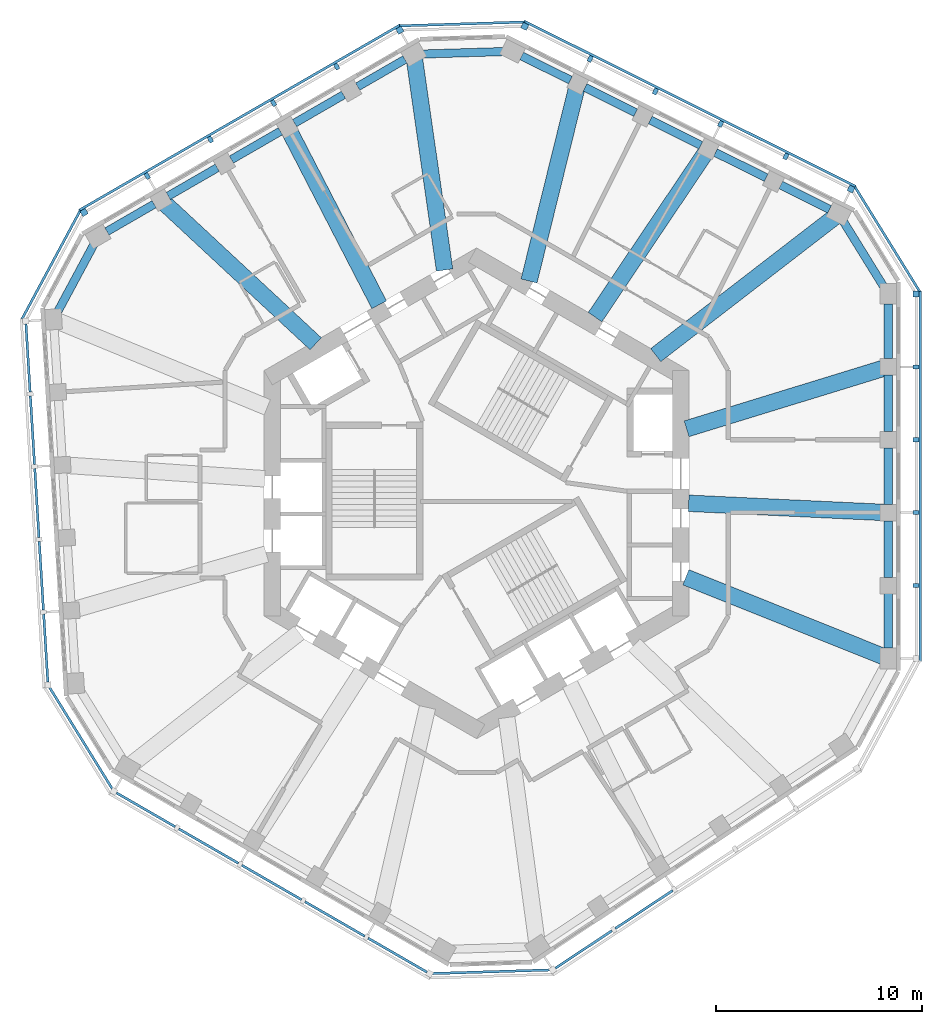
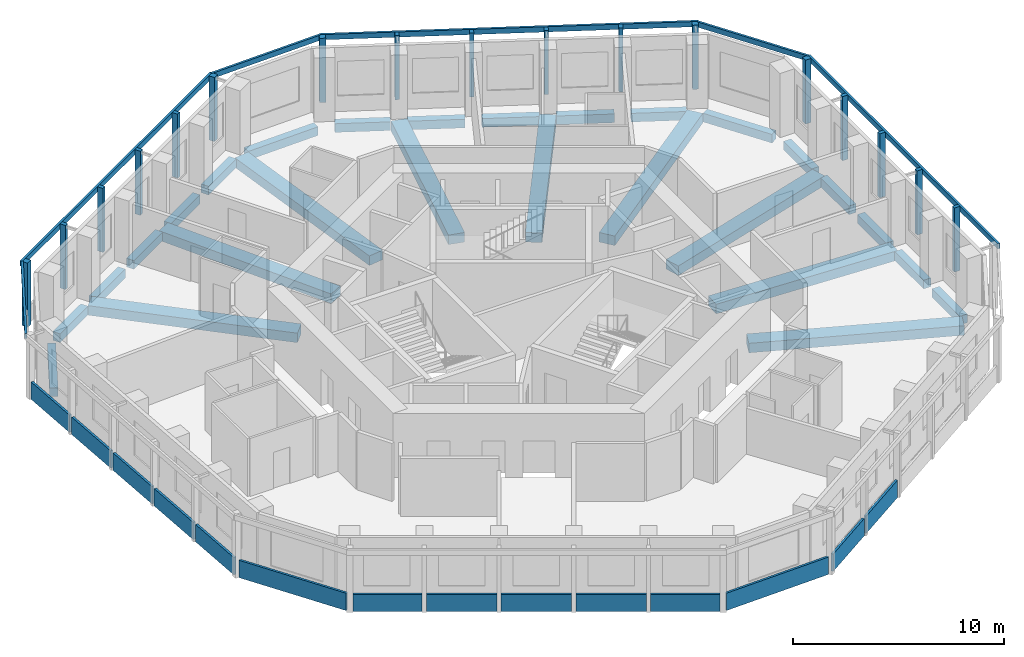
# One storey, part 2 of 11: 27 beams, 23 members, 14 plates, 11 elements without a shape of their own.
"""IFC4 building model written with IfcOpenShell, lengths in metres."""

from ifc_helpers import new_model, si_unit, direction, frame, origin, origin_2d, place, context, subcontext, project, spatial, rectangle, extrude, material, layer, layer_set, material_profile, profile_set, type_object, element, aggregate, save


model = new_model("IFC4")

# Units and contexts
model_context = context("Model", 3, precision=1e-05, world=origin(), true_north=direction((0.0, 1.0)))
body_context = subcontext(model_context, "Body", "Model", "MODEL_VIEW")
ifc_project = project(units=[si_unit("LENGTHUNIT", "METRE"), si_unit("AREAUNIT", "SQUARE_METRE"), si_unit("VOLUMEUNIT", "CUBIC_METRE"), si_unit("PLANEANGLEUNIT", "RADIAN"), si_unit("MASSUNIT", "GRAM", prefix="KILO")], contexts=[model_context])

# Site, building, storey
site_placement = place(None, origin())
site = spatial("IfcSite", under=ifc_project, at=site_placement, CompositionType="ELEMENT")
building_placement = place(site_placement, origin())
building = spatial("IfcBuilding", under=site, at=building_placement, Name="Vanh Sen Convention Tower", CompositionType="ELEMENT")
storey_placement = place(building_placement, frame((0.0, 0.0, 251.300048828125)))
storey = spatial("IfcBuildingStorey", under=building, at=storey_placement, Name="L62", CompositionType="ELEMENT", Elevation=251.300048828125)

# Curtain wall, member
ifc_material_1 = material(Name="Concrete C50/60", Category="concrete")
curtain_wall_type = type_object("IfcCurtainWallType", Name="Outer skin office zone", PredefinedType="NOTDEFINED", material=ifc_material_1)
curtain_wall_1_placement = place(storey_placement, origin())
curtain_wall_1 = element("IfcCurtainWall", 1, at=curtain_wall_1_placement, inside=storey, type_object=curtain_wall_type, Name="OUTER SKIN E L62", PredefinedType="NOTDEFINED")
ifc_material_profile_1 = material_profile(ifc_material_1, rectangle(XDim=0.300048828125, YDim=0.300048828125, at=origin_2d()), Name="Outer skin precast corner fin 300 x 300")
ifc_profile_set_1 = profile_set([ifc_material_profile_1], Name="Concrete C50/60")
member_type_1 = type_object("IfcMemberType", Name="Outer skin precast corner fin 300 x 300", PredefinedType="MULLION", material=ifc_profile_set_1)
member_1_placement = place(storey_placement, frame((21.300048828125, 9.665283203125, 0.0), z_axis=(0.0, 0.0, 1.0), x_axis=(0.0, 1.0, 0.0)))
member_1 = element("IfcMember", 2, at=member_1_placement, type_object=member_type_1, Name="OUTER SKIN CORNER FIN 6 E L62", PredefinedType="MULLION", context=body_context, shape_type="SweptSolid", body=[
    extrude(rectangle(XDim=0.300048828125, YDim=0.300048828125, at=origin_2d()), origin(), (0.0, 0.0, 1.0), 3.699951171875),
])

# Curtain wall, members
curtain_wall_2_placement = place(storey_placement, origin())
curtain_wall_2 = element("IfcCurtainWall", 3, at=curtain_wall_2_placement, inside=storey, type_object=curtain_wall_type, Name="OUTER SKIN NE L62", PredefinedType="NOTDEFINED")
member_2_placement = place(storey_placement, frame((18.15380859375, 14.74951171875, 0.0), z_axis=(0.0, 0.0, 1.0), x_axis=(-0.894934361602, 0.44619781311, 0.0)))
member_2 = element("IfcMember", 4, at=member_2_placement, type_object=member_type_1, Name="OUTER SKIN CORNER FIN 1 NE L62", PredefinedType="MULLION", context=body_context, shape_type="SweptSolid", body=[
    extrude(rectangle(XDim=0.300048828125, YDim=0.300048828125, at=origin_2d()), origin(), (0.0, 0.0, 1.0), 3.699951171875),
])
member_3_placement = place(storey_placement, frame((2.342041015625, 22.633056640625, 0.0), z_axis=(0.0, 0.0, 1.0), x_axis=(-0.894934361602, 0.44619781311, 0.0)))
member_3 = element("IfcMember", 5, at=member_3_placement, type_object=member_type_1, Name="OUTER SKIN CORNER FIN 6 NE L62", PredefinedType="MULLION", context=body_context, shape_type="SweptSolid", body=[
    extrude(rectangle(XDim=0.300048828125, YDim=0.300048828125, at=origin_2d()), origin(), (0.0, 0.0, 1.0), 3.699951171875),
])

curtain_wall_3_placement = place(storey_placement, origin())
curtain_wall_3 = element("IfcCurtainWall", 6, at=curtain_wall_3_placement, inside=storey, type_object=curtain_wall_type, Name="OUTER SKIN NW L62", PredefinedType="NOTDEFINED")
member_4_placement = place(storey_placement, frame((-3.719482421875, 22.44775390625, 0.0), z_axis=(0.0, 0.0, 1.0), x_axis=(-0.866025403784, -0.5, 0.0)))
member_4 = element("IfcMember", 7, at=member_4_placement, type_object=member_type_1, Name="OUTER SKIN CORNER FIN 1 NW L62", PredefinedType="MULLION", context=body_context, shape_type="SweptSolid", body=[
    extrude(rectangle(XDim=0.300048828125, YDim=0.300048828125, at=origin_2d()), origin(), (0.0, 0.0, 1.0), 3.699951171875),
])
member_5_placement = place(storey_placement, frame((-19.0205078125, 13.613525390625, 0.0), z_axis=(0.0, 0.0, 1.0), x_axis=(-0.866025403784, -0.5, 0.0)))
member_5 = element("IfcMember", 8, at=member_5_placement, type_object=member_type_1, Name="OUTER SKIN CORNER FIN 6 NW L62", PredefinedType="MULLION", context=body_context, shape_type="SweptSolid", body=[
    extrude(rectangle(XDim=0.300048828125, YDim=0.300048828125, at=origin_2d()), origin(), (0.0, 0.0, 1.0), 3.699951171875),
])

# Member
ifc_material_profile_2 = material_profile(ifc_material_1, rectangle(XDim=0.199951171875, YDim=0.300048828125, at=origin_2d()), Name="Outer skin precast fin 200 x 300")
ifc_profile_set_2 = profile_set([ifc_material_profile_2], Name="Concrete C50/60")
member_type_2 = type_object("IfcMemberType", Name="Outer skin precast fin 200 x 300", PredefinedType="MULLION", material=ifc_profile_set_2)
member_6_placement = place(storey_placement, frame((21.300048828125, -4.46923828125, 0.0), z_axis=(0.0, 0.0, 1.0), x_axis=(0.0, 1.0, 0.0)))
member_6 = element("IfcMember", 9, at=member_6_placement, type_object=member_type_2, Name="OUTER SKIN fin 2 E L62", PredefinedType="MULLION", context=body_context, shape_type="SweptSolid", body=[
    extrude(rectangle(XDim=0.199951171875, YDim=0.300048828125, at=origin_2d()), origin(), (0.0, 0.0, 1.0), 3.699951171875),
])

member_7_placement = place(storey_placement, frame((21.300048828125, -0.935546875, 0.0), z_axis=(0.0, 0.0, 1.0), x_axis=(0.0, 1.0, 0.0)))
member_7 = element("IfcMember", 10, at=member_7_placement, type_object=member_type_2, Name="OUTER SKIN fin 3 E L62", PredefinedType="MULLION", context=body_context, shape_type="SweptSolid", body=[
    extrude(rectangle(XDim=0.199951171875, YDim=0.300048828125, at=origin_2d()), origin(), (0.0, 0.0, 1.0), 3.699951171875),
])

member_8_placement = place(storey_placement, frame((21.300048828125, 2.59814453125, 0.0), z_axis=(0.0, 0.0, 1.0), x_axis=(0.0, 1.0, 0.0)))
member_8 = element("IfcMember", 11, at=member_8_placement, type_object=member_type_2, Name="OUTER SKIN fin 4 E L62", PredefinedType="MULLION", context=body_context, shape_type="SweptSolid", body=[
    extrude(rectangle(XDim=0.199951171875, YDim=0.300048828125, at=origin_2d()), origin(), (0.0, 0.0, 1.0), 3.699951171875),
])

member_9_placement = place(storey_placement, frame((21.300048828125, 6.131591796875, 0.0), z_axis=(0.0, 0.0, 1.0), x_axis=(0.0, 1.0, 0.0)))
member_9 = element("IfcMember", 12, at=member_9_placement, type_object=member_type_2, Name="OUTER SKIN fin 5 E L62", PredefinedType="MULLION", context=body_context, shape_type="SweptSolid", body=[
    extrude(rectangle(XDim=0.199951171875, YDim=0.300048828125, at=origin_2d()), origin(), (0.0, 0.0, 1.0), 3.699951171875),
])

member_10_placement = place(storey_placement, frame((14.99169921875, 16.326171875, 0.0), z_axis=(0.0, 0.0, 1.0), x_axis=(-0.894934361602, 0.44619781311, 0.0)))
member_10 = element("IfcMember", 13, at=member_10_placement, type_object=member_type_2, Name="OUTER SKIN fin 2 NE L62", PredefinedType="MULLION", context=body_context, shape_type="SweptSolid", body=[
    extrude(rectangle(XDim=0.199951171875, YDim=0.300048828125, at=origin_2d()), origin(), (0.0, 0.0, 1.0), 3.699951171875),
])

member_11_placement = place(storey_placement, frame((11.8291015625, 17.90283203125, 0.0), z_axis=(0.0, 0.0, 1.0), x_axis=(-0.894934361602, 0.44619781311, 0.0)))
member_11 = element("IfcMember", 14, at=member_11_placement, type_object=member_type_2, Name="OUTER SKIN fin 3 NE L62", PredefinedType="MULLION", context=body_context, shape_type="SweptSolid", body=[
    extrude(rectangle(XDim=0.199951171875, YDim=0.300048828125, at=origin_2d()), origin(), (0.0, 0.0, 1.0), 3.699951171875),
])

member_12_placement = place(storey_placement, frame((8.666748046875, 19.4794921875, 0.0), z_axis=(0.0, 0.0, 1.0), x_axis=(-0.894934361602, 0.44619781311, 0.0)))
member_12 = element("IfcMember", 15, at=member_12_placement, type_object=member_type_2, Name="OUTER SKIN fin 4 NE L62", PredefinedType="MULLION", context=body_context, shape_type="SweptSolid", body=[
    extrude(rectangle(XDim=0.199951171875, YDim=0.300048828125, at=origin_2d()), origin(), (0.0, 0.0, 1.0), 3.699951171875),
])

member_13_placement = place(storey_placement, frame((5.50439453125, 21.056396484375, 0.0), z_axis=(0.0, 0.0, 1.0), x_axis=(-0.894934361602, 0.44619781311, 0.0)))
member_13 = element("IfcMember", 16, at=member_13_placement, type_object=member_type_2, Name="OUTER SKIN fin 5 NE L62", PredefinedType="MULLION", context=body_context, shape_type="SweptSolid", body=[
    extrude(rectangle(XDim=0.199951171875, YDim=0.300048828125, at=origin_2d()), origin(), (0.0, 0.0, 1.0), 3.699951171875),
])

member_14_placement = place(storey_placement, frame((-6.779541015625, 20.680908203125, 0.0), z_axis=(0.0, 0.0, 1.0), x_axis=(-0.866025403784, -0.5, 0.0)))
member_14 = element("IfcMember", 17, at=member_14_placement, type_object=member_type_2, Name="OUTER SKIN fin 2 NW L62", PredefinedType="MULLION", context=body_context, shape_type="SweptSolid", body=[
    extrude(rectangle(XDim=0.199951171875, YDim=0.300048828125, at=origin_2d()), origin(), (0.0, 0.0, 1.0), 3.699951171875),
])

member_15_placement = place(storey_placement, frame((-9.83984375, 18.9140625, 0.0), z_axis=(0.0, 0.0, 1.0), x_axis=(-0.866025403784, -0.5, 0.0)))
member_15 = element("IfcMember", 18, at=member_15_placement, type_object=member_type_2, Name="OUTER SKIN fin 3 NW L62", PredefinedType="MULLION", context=body_context, shape_type="SweptSolid", body=[
    extrude(rectangle(XDim=0.199951171875, YDim=0.300048828125, at=origin_2d()), origin(), (0.0, 0.0, 1.0), 3.699951171875),
])

member_16_placement = place(storey_placement, frame((-12.89990234375, 17.147216796875, 0.0), z_axis=(0.0, 0.0, 1.0), x_axis=(-0.866025403784, -0.5, 0.0)))
member_16 = element("IfcMember", 19, at=member_16_placement, type_object=member_type_2, Name="OUTER SKIN fin 4 NW L62", PredefinedType="MULLION", context=body_context, shape_type="SweptSolid", body=[
    extrude(rectangle(XDim=0.199951171875, YDim=0.300048828125, at=origin_2d()), origin(), (0.0, 0.0, 1.0), 3.699951171875),
])

member_17_placement = place(storey_placement, frame((-15.960205078125, 15.38037109375, 0.0), z_axis=(0.0, 0.0, 1.0), x_axis=(-0.866025403784, -0.5, 0.0)))
member_17 = element("IfcMember", 20, at=member_17_placement, type_object=member_type_2, Name="OUTER SKIN fin 5 NW L62", PredefinedType="MULLION", context=body_context, shape_type="SweptSolid", body=[
    extrude(rectangle(XDim=0.199951171875, YDim=0.300048828125, at=origin_2d()), origin(), (0.0, 0.0, 1.0), 3.699951171875),
])

ifc_material_profile_3 = material_profile(ifc_material_1, rectangle(XDim=0.1201171875, YDim=0.300048828125, at=origin_2d()), Name="Outer skin precast spandrel band 300 x 120")
ifc_profile_set_3 = profile_set([ifc_material_profile_3], Name="Concrete C50/60")
member_type_3 = type_object("IfcMemberType", Name="Outer skin precast spandrel band 300 x 120", PredefinedType="USERDEFINED", material=ifc_profile_set_3)
member_18_placement = place(storey_placement, frame((21.510009765625, -8.15283203125, 3.550048828125), z_axis=(0.0, 1.0, 0.0), x_axis=(-1.0, 0.0, 0.0)))
member_18 = element("IfcMember", 21, at=member_18_placement, type_object=member_type_3, Name="OUTER SKIN spandrel band E L62", ObjectType="TRANSOM", PredefinedType="USERDEFINED", context=body_context, shape_type="SweptSolid", body=[
    extrude(rectangle(XDim=0.1201171875, YDim=0.300048828125, at=origin_2d()), origin(), (0.0, 0.0, 1.0), 17.96826171875),
])

aggregate(curtain_wall_1, [member_6, member_7, member_8, member_9, member_1, member_18])

# Curtain wall, member
curtain_wall_4_placement = place(storey_placement, origin())
curtain_wall_4 = element("IfcCurtainWall", 22, at=curtain_wall_4_placement, inside=storey, type_object=curtain_wall_type, Name="OUTER SKIN CH1 L62", PredefinedType="NOTDEFINED")
member_19_placement = place(storey_placement, frame((21.478515625, 9.77587890625, 3.550048828125), z_axis=(-0.526187318786, 0.850368688011, 0.0), x_axis=(-0.850368688011, -0.526187318786, 0.0)))
member_19 = element("IfcMember", 23, at=member_19_placement, type_object=member_type_3, Name="OUTER SKIN spandrel band CH1 L62", ObjectType="TRANSOM", PredefinedType="USERDEFINED", context=body_context, shape_type="SweptSolid", body=[
    extrude(rectangle(XDim=0.1201171875, YDim=0.300048828125, at=origin_2d()), origin(), (0.0, 0.0, 1.0), 5.978759765625),
])
aggregate(curtain_wall_4, [member_19])

# Member
member_20_placement = place(storey_placement, frame((18.3818359375, 14.87060546875, 3.550048828125), z_axis=(-0.894940208367, 0.446186086121, 0.0), x_axis=(-0.446186086121, -0.894940208367, 0.0)))
member_20 = element("IfcMember", 24, at=member_20_placement, type_object=member_type_3, Name="OUTER SKIN spandrel band NE L62", ObjectType="TRANSOM", PredefinedType="USERDEFINED", context=body_context, shape_type="SweptSolid", body=[
    extrude(rectangle(XDim=0.1201171875, YDim=0.300048828125, at=origin_2d()), origin(), (0.0, 0.0, 1.0), 17.968017578125),
])

aggregate(curtain_wall_2, [member_2, member_10, member_11, member_12, member_13, member_3, member_20])

# Curtain wall, member
curtain_wall_5_placement = place(storey_placement, origin())
curtain_wall_5 = element("IfcCurtainWall", 25, at=curtain_wall_5_placement, inside=storey, type_object=curtain_wall_type, Name="OUTER SKIN CH2 L62", PredefinedType="NOTDEFINED")
member_21_placement = place(storey_placement, frame((2.335693359375, 22.843017578125, 3.550048828125), z_axis=(-0.999533054911, -0.030556049165, 0.0), x_axis=(0.030556049165, -0.999533054911, 0.0)))
member_21 = element("IfcMember", 26, at=member_21_placement, type_object=member_type_3, Name="OUTER SKIN spandrel band CH2 L62", ObjectType="TRANSOM", PredefinedType="USERDEFINED", context=body_context, shape_type="SweptSolid", body=[
    extrude(rectangle(XDim=0.1201171875, YDim=0.300048828125, at=origin_2d()), origin(), (0.0, 0.0, 1.0), 6.064453125),
])
aggregate(curtain_wall_5, [member_21])

# Member
member_22_placement = place(storey_placement, frame((-3.694580078125, 22.70458984375, 3.550048828125), z_axis=(-0.866022898019, -0.500004340088, 0.0), x_axis=(0.500004340088, -0.866022898019, 0.0)))
member_22 = element("IfcMember", 27, at=member_22_placement, type_object=member_type_3, Name="OUTER SKIN spandrel band NW L62", ObjectType="TRANSOM", PredefinedType="USERDEFINED", context=body_context, shape_type="SweptSolid", body=[
    extrude(rectangle(XDim=0.1201171875, YDim=0.300048828125, at=origin_2d()), origin(), (0.0, 0.0, 1.0), 17.968017578125),
])

aggregate(curtain_wall_3, [member_4, member_14, member_15, member_16, member_17, member_5, member_22])

# Curtain wall, member
curtain_wall_6_placement = place(storey_placement, origin())
curtain_wall_6 = element("IfcCurtainWall", 28, at=curtain_wall_6_placement, inside=storey, type_object=curtain_wall_type, Name="OUTER SKIN CH3 L62", PredefinedType="NOTDEFINED")
member_23_placement = place(storey_placement, frame((-19.20556640625, 13.712890625, 3.550048828125), z_axis=(-0.473317965247, -0.880891652688, 0.0), x_axis=(0.880891652688, -0.473317965247, 0.0)))
member_23 = element("IfcMember", 29, at=member_23_placement, type_object=member_type_3, Name="OUTER SKIN spandrel band CH3 L62", ObjectType="TRANSOM", PredefinedType="USERDEFINED", context=body_context, shape_type="SweptSolid", body=[
    extrude(rectangle(XDim=0.1201171875, YDim=0.300048828125, at=origin_2d()), origin(), (0.0, 0.0, 1.0), 5.978759765625),
])
aggregate(curtain_wall_6, [member_23])

# Beams
ifc_material_2 = material(Name="Concrete C50/60", Category="concrete")
ifc_material_profile_4 = material_profile(ifc_material_2, rectangle(XDim=0.800048828125, YDim=0.550048828125, at=origin_2d()), Name="RC 800X550")
ifc_profile_set_4 = profile_set([ifc_material_profile_4], Name="Concrete C50/60")
beam_type_1 = type_object("IfcBeamType", Name="Radial floor beam 800 x 550", PredefinedType="BEAM", material=ifc_profile_set_4)
beam_1_placement = place(storey_placement, frame((19.70361328125, -7.90380859375, -0.554931640625), z_axis=(-0.928119807881, 0.372281643676, 0.0), x_axis=(-0.372281643676, -0.928119807881, 0.0)))
element("IfcBeam", 30, at=beam_1_placement, inside=storey, type_object=beam_type_1, Name="Radial beam 01 L62", PredefinedType="BEAM", context=body_context, shape_type="SweptSolid", body=[
    extrude(rectangle(XDim=0.800048828125, YDim=0.550048828125, at=origin_2d()), origin(), (0.0, 0.0, 1.0), 10.29736328125),
])
beam_2_placement = place(storey_placement, frame((19.945556640625, -0.935302734375, -0.554931640625), z_axis=(-0.998902566017, 0.046836562684, 0.0), x_axis=(-0.046836562684, -0.998902566017, 0.0)))
element("IfcBeam", 31, at=beam_2_placement, inside=storey, type_object=beam_type_1, Name="Radial beam 02 L62", PredefinedType="BEAM", context=body_context, shape_type="SweptSolid", body=[
    extrude(rectangle(XDim=0.800048828125, YDim=0.550048828125, at=origin_2d()), origin(), (0.0, 0.0, 1.0), 9.679931640625),
])
beam_3_placement = place(storey_placement, frame((19.897216796875, 6.115478515625, -0.554931640625), z_axis=(-0.955870331163, -0.293788886793, 0.0), x_axis=(0.293788886793, -0.955870331163, 0.0)))
element("IfcBeam", 32, at=beam_3_placement, inside=storey, type_object=beam_type_1, Name="Radial beam 03 L62", PredefinedType="BEAM", context=body_context, shape_type="SweptSolid", body=[
    extrude(rectangle(XDim=0.800048828125, YDim=0.550048828125, at=origin_2d()), origin(), (0.0, 0.0, 1.0), 10.168212890625),
])
beam_4_placement = place(storey_placement, frame((17.35693359375, 13.39111328125, -0.554931640625), z_axis=(-0.791753308833, -0.610840975994, 0.0), x_axis=(0.610840975994, -0.791753308833, 0.0)))
element("IfcBeam", 33, at=beam_4_placement, inside=storey, type_object=beam_type_1, Name="Radial beam 04 L62", PredefinedType="BEAM", context=body_context, shape_type="SweptSolid", body=[
    extrude(rectangle(XDim=0.800048828125, YDim=0.550048828125, at=origin_2d()), origin(), (0.0, 0.0, 1.0), 10.955322265625),
])
beam_5_placement = place(storey_placement, frame((11.215087890625, 16.677001953125, -0.554931640625), z_axis=(-0.558045479144, -0.829810365811, 0.0), x_axis=(0.829810365811, -0.558045479144, 0.0)))
element("IfcBeam", 34, at=beam_5_placement, inside=storey, type_object=beam_type_1, Name="Radial beam 05 L62", PredefinedType="BEAM", context=body_context, shape_type="SweptSolid", body=[
    extrude(rectangle(XDim=0.800048828125, YDim=0.550048828125, at=origin_2d()), origin(), (0.0, 0.0, 1.0), 9.805419921875),
])
beam_6_placement = place(storey_placement, frame((4.892578125, 19.809814453125, -0.554931640625), z_axis=(-0.239763112256, -0.97083142203, 0.0), x_axis=(0.97083142203, -0.239763112256, 0.0)))
element("IfcBeam", 35, at=beam_6_placement, inside=storey, type_object=beam_type_1, Name="Radial beam 06 L62", PredefinedType="BEAM", context=body_context, shape_type="SweptSolid", body=[
    extrude(rectangle(XDim=0.800048828125, YDim=0.550048828125, at=origin_2d()), origin(), (0.0, 0.0, 1.0), 9.8037109375),
])
beam_7_placement = place(storey_placement, frame((-3.0068359375, 21.015869140625, -0.554931640625), z_axis=(0.141633779943, -0.989919124161, 0.0), x_axis=(0.989919124161, 0.141633779943, 0.0)))
element("IfcBeam", 36, at=beam_7_placement, inside=storey, type_object=beam_type_1, Name="Radial beam 07 L62", PredefinedType="BEAM", context=body_context, shape_type="SweptSolid", body=[
    extrude(rectangle(XDim=0.800048828125, YDim=0.550048828125, at=origin_2d()), origin(), (0.0, 0.0, 1.0), 10.297607421875),
])
beam_8_placement = place(storey_placement, frame((-9.162841796875, 17.7412109375, -0.554931640625), z_axis=(0.458887667993, -0.888494292702, 0.0), x_axis=(0.888494292702, 0.458887667993, 0.0)))
element("IfcBeam", 37, at=beam_8_placement, inside=storey, type_object=beam_type_1, Name="Radial beam 08 L62", PredefinedType="BEAM", context=body_context, shape_type="SweptSolid", body=[
    extrude(rectangle(XDim=0.800048828125, YDim=0.550048828125, at=origin_2d()), origin(), (0.0, 0.0, 1.0), 9.68017578125),
])
beam_9_placement = place(storey_placement, frame((-15.244873046875, 14.173828125, -0.554931640625), z_axis=(0.73236492297, -0.680912343554, 0.0), x_axis=(0.680912343554, 0.73236492297, 0.0)))
element("IfcBeam", 38, at=beam_9_placement, inside=storey, type_object=beam_type_1, Name="Radial beam 09 L62", PredefinedType="BEAM", context=body_context, shape_type="SweptSolid", body=[
    extrude(rectangle(XDim=0.800048828125, YDim=0.550048828125, at=origin_2d()), origin(), (0.0, 0.0, 1.0), 10.16845703125),
])
ifc_material_profile_5 = material_profile(ifc_material_2, rectangle(XDim=0.39990234375, YDim=0.5, at=origin_2d()), Name="RC 400X500")
ifc_profile_set_5 = profile_set([ifc_material_profile_5], Name="Concrete C50/60")
beam_type_2 = type_object("IfcBeamType", Name="Spandrel beam 400 x 500", PredefinedType="SPANDREL", material=ifc_profile_set_5)
beam_10_placement = place(storey_placement, frame((19.949951171875, -7.5078125, -0.530029296875), z_axis=(0.0, 1.0, 0.0), x_axis=(-1.0, 0.0, 0.0)))
element("IfcBeam", 39, at=beam_10_placement, inside=storey, type_object=beam_type_2, Name="Spandrel beam 01 L62", PredefinedType="SPANDREL", context=body_context, shape_type="SweptSolid", body=[
    extrude(rectangle(XDim=0.39990234375, YDim=0.5, at=origin_2d()), origin(), (0.0, 0.0, 1.0), 2.6435546875),
])
for number, where, z_axis, x_axis, name in (
    (40, (19.949951171875, -4.07421875, -0.530029296875), (0.0, 1.0, 0.0), (-1.0, 0.0, 0.0), "Spandrel beam 02 L62"),
    (41, (19.949951171875, -0.54052734375, -0.530029296875), (0.0, 1.0, 0.0), (-1.0, 0.0, 0.0), "Spandrel beam 03 L62"),
    (42, (19.949951171875, 2.9931640625, -0.530029296875), (0.0, 1.0, 0.0), (-1.0, 0.0, 0.0), "Spandrel beam 04 L62"),
):
    element("IfcBeam", number, at=place(storey_placement, frame(where, z_axis=z_axis, x_axis=x_axis)), inside=storey, type_object=beam_type_2, Name=name, PredefinedType="SPANDREL", context=body_context, shape_type="SweptSolid", body=[
        extrude(rectangle(XDim=0.39990234375, YDim=0.5, at=origin_2d()), origin(), (0.0, 0.0, 1.0), 2.74365234375),
    ])
beam_11_placement = place(storey_placement, frame((19.949951171875, 6.526611328125, -0.530029296875), z_axis=(0.0, 1.0, 0.0), x_axis=(-1.0, 0.0, 0.0)))
element("IfcBeam", 43, at=beam_11_placement, inside=storey, type_object=beam_type_2, Name="Spandrel beam 05 L62", PredefinedType="SPANDREL", context=body_context, shape_type="SweptSolid", body=[
    extrude(rectangle(XDim=0.39990234375, YDim=0.5, at=origin_2d()), origin(), (0.0, 0.0, 1.0), 2.643798828125),
])
beam_12_placement = place(storey_placement, frame((19.72265625, 10.03271484375, -0.530029296875), z_axis=(-0.526197618079, 0.850362314974, 0.0), x_axis=(-0.850362314974, -0.526197618079, 0.0)))
element("IfcBeam", 44, at=beam_12_placement, inside=storey, type_object=beam_type_2, Name="Spandrel beam 06 L62", PredefinedType="SPANDREL", context=body_context, shape_type="SweptSolid", body=[
    extrude(rectangle(XDim=0.39990234375, YDim=0.5, at=origin_2d()), origin(), (0.0, 0.0, 1.0), 3.694091796875),
])
beam_13_placement = place(storey_placement, frame((17.1083984375, 13.76220703125, -0.530029296875), z_axis=(-0.894943794637, 0.446178892868, 0.0), x_axis=(-0.446178892868, -0.894943794637, 0.0)))
element("IfcBeam", 45, at=beam_13_placement, inside=storey, type_object=beam_type_2, Name="Spandrel beam 07 L62", PredefinedType="SPANDREL", context=body_context, shape_type="SweptSolid", body=[
    extrude(rectangle(XDim=0.39990234375, YDim=0.5, at=origin_2d()), origin(), (0.0, 0.0, 1.0), 2.643310546875),
])
for number, where, z_axis, x_axis, name in (
    (46, (14.03564453125, 15.294189453125, -0.530029296875), (-0.894942720211, 0.446181047941, 0.0), (-0.446181047941, -0.894942720211, 0.0), "Spandrel beam 08 L62"),
    (47, (10.873291015625, 16.87109375, -0.530029296875), (-0.894942720211, 0.446181047941, 0.0), (-0.446181047941, -0.894942720211, 0.0), "Spandrel beam 09 L62"),
    (48, (7.7109375, 18.44775390625, -0.530029296875), (-0.894942720211, 0.446181047941, 0.0), (-0.446181047941, -0.894942720211, 0.0), "Spandrel beam 10 L62"),
):
    element("IfcBeam", number, at=place(storey_placement, frame(where, z_axis=z_axis, x_axis=x_axis)), inside=storey, type_object=beam_type_2, Name=name, PredefinedType="SPANDREL", context=body_context, shape_type="SweptSolid", body=[
        extrude(rectangle(XDim=0.39990234375, YDim=0.5, at=origin_2d()), origin(), (0.0, 0.0, 1.0), 2.74365234375),
    ])
beam_14_placement = place(storey_placement, frame((4.548583984375, 20.0244140625, -0.530029296875), z_axis=(-0.894962178475, 0.446142016738, 0.0), x_axis=(-0.446142016738, -0.894962178475, 0.0)))
element("IfcBeam", 49, at=beam_14_placement, inside=storey, type_object=beam_type_2, Name="Spandrel beam 11 L62", PredefinedType="SPANDREL", context=body_context, shape_type="SweptSolid", body=[
    extrude(rectangle(XDim=0.39990234375, YDim=0.5, at=origin_2d()), origin(), (0.0, 0.0, 1.0), 2.6435546875),
])
beam_15_placement = place(storey_placement, frame((1.284912109375, 21.410888671875, -0.530029296875), z_axis=(-0.999533345405, -0.030546545212, 0.0), x_axis=(0.030546545212, -0.999533345405, 0.0)))
element("IfcBeam", 50, at=beam_15_placement, inside=storey, type_object=beam_type_2, Name="Spandrel beam 12 L62", PredefinedType="SPANDREL", context=body_context, shape_type="SweptSolid", body=[
    extrude(rectangle(XDim=0.39990234375, YDim=0.5, at=origin_2d()), origin(), (0.0, 0.0, 1.0), 3.876220703125),
])
beam_16_placement = place(storey_placement, frame((-3.47314453125, 21.031005859375, -0.530029296875), z_axis=(-0.866017944311, -0.500012919964, 0.0), x_axis=(0.500012919964, -0.866017944311, 0.0)))
element("IfcBeam", 51, at=beam_16_placement, inside=storey, type_object=beam_type_2, Name="Spandrel beam 13 L62", PredefinedType="SPANDREL", context=body_context, shape_type="SweptSolid", body=[
    extrude(rectangle(XDim=0.39990234375, YDim=0.5, at=origin_2d()), origin(), (0.0, 0.0, 1.0), 2.6435546875),
])
for number, where, z_axis, x_axis, name in (
    (52, (-6.44677734375, 19.314208984375, -0.530029296875), (-0.866016649877, -0.500015161905, 0.0), (0.500015161905, -0.866016649877, 0.0), "Spandrel beam 14 L62"),
    (53, (-9.5068359375, 17.547607421875, -0.530029296875), (-0.866016649877, -0.500015161905, 0.0), (0.500015161905, -0.866016649877, 0.0), "Spandrel beam 15 L62"),
    (54, (-12.567138671875, 15.78076171875, -0.530029296875), (-0.865978115955, -0.500081895979, 0.0), (0.500081895979, -0.865978115955, 0.0), "Spandrel beam 16 L62"),
):
    element("IfcBeam", number, at=place(storey_placement, frame(where, z_axis=z_axis, x_axis=x_axis)), inside=storey, type_object=beam_type_2, Name=name, PredefinedType="SPANDREL", context=body_context, shape_type="SweptSolid", body=[
        extrude(rectangle(XDim=0.39990234375, YDim=0.5, at=origin_2d()), origin(), (0.0, 0.0, 1.0), 2.74365234375),
    ])
beam_17_placement = place(storey_placement, frame((-15.627197265625, 14.013916015625, -0.530029296875), z_axis=(-0.866001044215, -0.500042189638, 0.0), x_axis=(0.500042189638, -0.866001044215, 0.0)))
element("IfcBeam", 55, at=beam_17_placement, inside=storey, type_object=beam_type_2, Name="Spandrel beam 17 L62", PredefinedType="SPANDREL", context=body_context, shape_type="SweptSolid", body=[
    extrude(rectangle(XDim=0.39990234375, YDim=0.5, at=origin_2d()), origin(), (0.0, 0.0, 1.0), 2.643798828125),
])
beam_18_placement = place(storey_placement, frame((-18.5498046875, 12.06396484375, -0.530029296875), z_axis=(-0.473323254659, -0.880888810577, 0.0), x_axis=(0.880888810577, -0.473323254659, 0.0)))
element("IfcBeam", 56, at=beam_18_placement, inside=storey, type_object=beam_type_2, Name="Spandrel beam 18 L62", PredefinedType="SPANDREL", context=body_context, shape_type="SweptSolid", body=[
    extrude(rectangle(XDim=0.39990234375, YDim=0.5, at=origin_2d()), origin(), (0.0, 0.0, 1.0), 3.694091796875),
])

# Curtain wall, plates
curtain_wall_7_placement = place(storey_placement, origin())
curtain_wall_7 = element("IfcCurtainWall", 57, at=curtain_wall_7_placement, inside=storey, type_object=curtain_wall_type, Name="OUTER SKIN W L62", PredefinedType="NOTDEFINED")
ifc_layer = layer(ifc_material_1, 0.1201171875)
ifc_layer_set = layer_set([ifc_layer], Name="Concrete C50/60")
plate_type = type_object("IfcPlateType", Name="Outer skin precast screen panel 120", PredefinedType="CURTAIN_PANEL", material=ifc_layer_set)
plate_1_placement = place(storey_placement, frame((-21.740966796875, 6.55859375, 0.0), z_axis=(0.0, 0.0, 1.0), x_axis=(0.061043313312, -0.998135118058, 0.0)))
plate_1 = element("IfcPlate", 58, at=plate_1_placement, type_object=plate_type, Name="OUTER SKIN screen panel W-1", PredefinedType="CURTAIN_PANEL", context=body_context, shape_type="SweptSolid", body=[
    extrude(rectangle(XDim=3.28369140625, YDim=0.1201171875, at=origin_2d()), origin(), (0.0, 0.0, 1.0), 1.0),
])
plate_2_placement = place(storey_placement, frame((-21.526611328125, 3.056396484375, 0.0), z_axis=(0.0, 0.0, 1.0), x_axis=(0.061041571238, -0.998135224597, 0.0)))
plate_2 = element("IfcPlate", 59, at=plate_2_placement, type_object=plate_type, Name="OUTER SKIN screen panel W-2", PredefinedType="CURTAIN_PANEL", context=body_context, shape_type="SweptSolid", body=[
    extrude(rectangle(XDim=3.333740234375, YDim=0.1201171875, at=origin_2d()), origin(), (0.0, 0.0, 1.0), 1.0),
])
plate_3_placement = place(storey_placement, frame((-21.31103515625, -0.470703125, 0.0), z_axis=(0.0, 0.0, 1.0), x_axis=(0.061043313312, -0.998135118058, 0.0)))
plate_3 = element("IfcPlate", 60, at=plate_3_placement, type_object=plate_type, Name="OUTER SKIN screen panel W-3", PredefinedType="CURTAIN_PANEL", context=body_context, shape_type="SweptSolid", body=[
    extrude(rectangle(XDim=3.33349609375, YDim=0.1201171875, at=origin_2d()), origin(), (0.0, 0.0, 1.0), 1.0),
])
plate_4_placement = place(storey_placement, frame((-21.09521484375, -3.99755859375, 0.0), z_axis=(0.0, 0.0, 1.0), x_axis=(0.061043313312, -0.998135118058, 0.0)))
plate_4 = element("IfcPlate", 61, at=plate_4_placement, type_object=plate_type, Name="OUTER SKIN screen panel W-4", PredefinedType="CURTAIN_PANEL", context=body_context, shape_type="SweptSolid", body=[
    extrude(rectangle(XDim=3.33349609375, YDim=0.1201171875, at=origin_2d()), origin(), (0.0, 0.0, 1.0), 1.0),
])
plate_5_placement = place(storey_placement, frame((-20.881103515625, -7.499755859375, 0.0), z_axis=(0.0, 0.0, 1.0), x_axis=(0.061069444408, -0.998133519605, 0.0)))
plate_5 = element("IfcPlate", 62, at=plate_5_placement, type_object=plate_type, Name="OUTER SKIN screen panel W-5", PredefinedType="CURTAIN_PANEL", context=body_context, shape_type="SweptSolid", body=[
    extrude(rectangle(XDim=3.28369140625, YDim=0.1201171875, at=origin_2d()), origin(), (0.0, 0.0, 1.0), 1.0),
])
aggregate(curtain_wall_7, [plate_1, plate_2, plate_3, plate_4, plate_5])

# Curtain wall, plate
curtain_wall_8_placement = place(storey_placement, origin())
curtain_wall_8 = element("IfcCurtainWall", 63, at=curtain_wall_8_placement, inside=storey, type_object=curtain_wall_type, Name="OUTER SKIN CH4 L62", PredefinedType="NOTDEFINED")
plate_6_placement = place(storey_placement, frame((-19.176025390625, -11.86669921875, 0.0), z_axis=(0.0, 0.0, 1.0), x_axis=(0.526215407796, -0.850351306578, 0.0)))
plate_6 = element("IfcPlate", 64, at=plate_6_placement, type_object=plate_type, Name="OUTER SKIN screen panel CH4-1", PredefinedType="CURTAIN_PANEL", context=body_context, shape_type="SweptSolid", body=[
    extrude(rectangle(XDim=5.76416015625, YDim=0.1201171875, at=origin_2d()), origin(), (0.0, 0.0, 1.0), 1.0),
])
aggregate(curtain_wall_8, [plate_6])

# Curtain wall, plates
curtain_wall_9_placement = place(storey_placement, origin())
curtain_wall_9 = element("IfcCurtainWall", 65, at=curtain_wall_9_placement, inside=storey, type_object=curtain_wall_type, Name="OUTER SKIN SW L62", PredefinedType="NOTDEFINED")
plate_7_placement = place(storey_placement, frame((-16.02880859375, -15.3408203125, 0.0), z_axis=(0.0, 0.0, 1.0), x_axis=(0.866026276448, -0.4999984885, 0.0)))
plate_7 = element("IfcPlate", 66, at=plate_7_placement, type_object=plate_type, Name="OUTER SKIN screen panel SW-1", PredefinedType="CURTAIN_PANEL", context=body_context, shape_type="SweptSolid", body=[
    extrude(rectangle(XDim=3.28369140625, YDim=0.1201171875, at=origin_2d()), origin(), (0.0, 0.0, 1.0), 1.0),
])
plate_8_placement = place(storey_placement, frame((-12.990234375, -17.09521484375, 0.0), z_axis=(0.0, 0.0, 1.0), x_axis=(0.866026276448, -0.4999984885, 0.0)))
plate_8 = element("IfcPlate", 67, at=plate_8_placement, type_object=plate_type, Name="OUTER SKIN screen panel SW-2", PredefinedType="CURTAIN_PANEL", context=body_context, shape_type="SweptSolid", body=[
    extrude(rectangle(XDim=3.33349609375, YDim=0.1201171875, at=origin_2d()), origin(), (0.0, 0.0, 1.0), 1.0),
])
plate_9_placement = place(storey_placement, frame((-9.93017578125, -18.862060546875, 0.0), z_axis=(0.0, 0.0, 1.0), x_axis=(0.866014058921, -0.500019649364, 0.0)))
plate_9 = element("IfcPlate", 68, at=plate_9_placement, type_object=plate_type, Name="OUTER SKIN screen panel SW-3", PredefinedType="CURTAIN_PANEL", context=body_context, shape_type="SweptSolid", body=[
    extrude(rectangle(XDim=3.333740234375, YDim=0.1201171875, at=origin_2d()), origin(), (0.0, 0.0, 1.0), 1.0),
])
plate_10_placement = place(storey_placement, frame((-6.869873046875, -20.62890625, 0.0), z_axis=(0.0, 0.0, 1.0), x_axis=(0.866026276448, -0.4999984885, 0.0)))
plate_10 = element("IfcPlate", 69, at=plate_10_placement, type_object=plate_type, Name="OUTER SKIN screen panel SW-4", PredefinedType="CURTAIN_PANEL", context=body_context, shape_type="SweptSolid", body=[
    extrude(rectangle(XDim=3.33349609375, YDim=0.1201171875, at=origin_2d()), origin(), (0.0, 0.0, 1.0), 1.0),
])
plate_11_placement = place(storey_placement, frame((-3.831298828125, -22.383056640625, 0.0), z_axis=(0.0, 0.0, 1.0), x_axis=(0.866033257659, -0.499986396443, 0.0)))
plate_11 = element("IfcPlate", 70, at=plate_11_placement, type_object=plate_type, Name="OUTER SKIN screen panel SW-5", PredefinedType="CURTAIN_PANEL", context=body_context, shape_type="SweptSolid", body=[
    extrude(rectangle(XDim=3.28369140625, YDim=0.1201171875, at=origin_2d()), origin(), (0.0, 0.0, 1.0), 1.0),
])
aggregate(curtain_wall_9, [plate_7, plate_8, plate_9, plate_10, plate_11])

# Curtain wall, plate
curtain_wall_10_placement = place(storey_placement, origin())
curtain_wall_10 = element("IfcCurtainWall", 71, at=curtain_wall_10_placement, inside=storey, type_object=curtain_wall_type, Name="OUTER SKIN CH5 L62", PredefinedType="NOTDEFINED")
plate_12_placement = place(storey_placement, frame((0.70849609375, -23.187744140625, 0.0), z_axis=(0.0, 0.0, 1.0), x_axis=(0.999533537535, 0.030540257725, 0.0)))
plate_12 = element("IfcPlate", 72, at=plate_12_placement, type_object=plate_type, Name="OUTER SKIN screen panel CH5-1", PredefinedType="CURTAIN_PANEL", context=body_context, shape_type="SweptSolid", body=[
    extrude(rectangle(XDim=5.6787109375, YDim=0.1201171875, at=origin_2d()), origin(), (0.0, 0.0, 1.0), 1.0),
])
aggregate(curtain_wall_10, [plate_12])

# Curtain wall, plates
curtain_wall_11_placement = place(storey_placement, origin())
curtain_wall_11 = element("IfcCurtainWall", 73, at=curtain_wall_11_placement, inside=storey, type_object=curtain_wall_type, Name="OUTER SKIN SE L62", PredefinedType="NOTDEFINED")
plate_13_placement = place(storey_placement, frame((5.190673828125, -22.107421875, 0.0), z_axis=(0.0, 0.0, 1.0), x_axis=(0.833896418343, 0.551920975752, 0.0)))
plate_13 = element("IfcPlate", 74, at=plate_13_placement, type_object=plate_type, Name="OUTER SKIN screen panel SE-1", PredefinedType="CURTAIN_PANEL", context=body_context, shape_type="SweptSolid", body=[
    extrude(rectangle(XDim=3.28369140625, YDim=0.1201171875, at=origin_2d()), origin(), (0.0, 0.0, 1.0), 1.0),
])
plate_14_placement = place(storey_placement, frame((8.116455078125, -20.1708984375, 0.0), z_axis=(0.0, 0.0, 1.0), x_axis=(0.833874262143, 0.551954450055, 0.0)))
plate_14 = element("IfcPlate", 75, at=plate_14_placement, type_object=plate_type, Name="OUTER SKIN screen panel SE-2", PredefinedType="CURTAIN_PANEL", context=body_context, shape_type="SweptSolid", body=[
    extrude(rectangle(XDim=3.33349609375, YDim=0.1201171875, at=origin_2d()), origin(), (0.0, 0.0, 1.0), 1.0),
])
aggregate(curtain_wall_11, [plate_13, plate_14])

save(model, "model.ifc")
